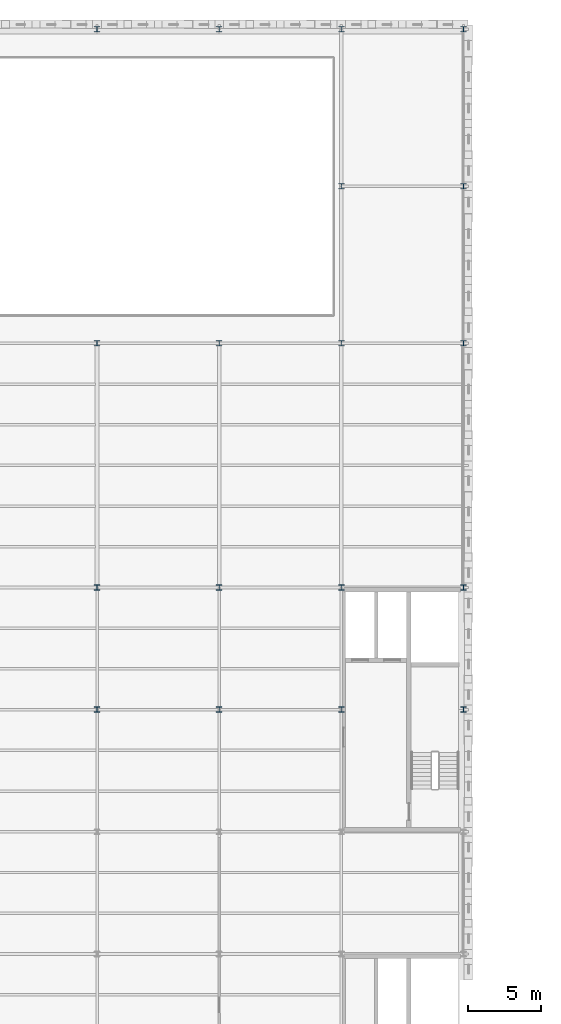
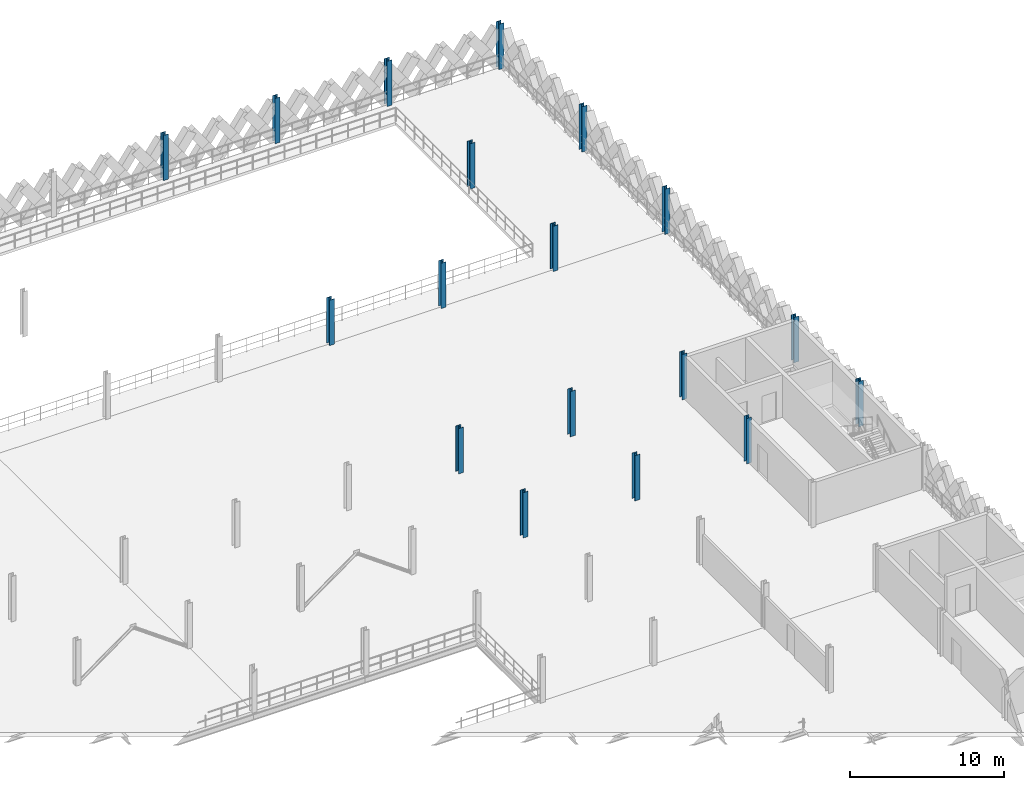
# One storey, part 11 of 62: 18 columns.
"""IFC4 building model written with IfcOpenShell, lengths in metres."""

import ifcopenshell
import ifcopenshell.guid

model = None  # the IFC model being written
_history = None  # IfcOwnerHistory: only IFC2X3 demands one
_inside = {}  # id of a spatial element -> (the spatial element, [elements in it])
_under = {}  # id of a project, library or spatial element -> (it, [spatial elements below it])
_declared = {}  # id of a project -> (the project, [libraries it declares])
_typed = {}  # id of a type object -> (the type object, [elements of that type])
_made_of = {}  # id of a material, layer set ... -> (it, [elements and type objects made of it])


def new_model(schema):
    """Start an empty IFC model of exactly this schema.

    Asked for "IFC4X3", IfcOpenShell would pick the latest addendum, in which some entities
    have other attributes; the version numbers below select the first issue.
    IFC2X3 requires an IfcOwnerHistory on every rooted entity: one is made here for all.
    """
    global model, _history
    if schema == "IFC4X3":
        model = ifcopenshell.file(schema_version=(4, 3, 0, 0))
    else:
        model = ifcopenshell.file(schema=schema)
    _inside.clear()
    _under.clear()
    _declared.clear()
    _typed.clear()
    _made_of.clear()
    _history = None
    if model.schema == "IFC2X3":
        org = make("IfcOrganization", Name="unknown")
        user = make(
            "IfcPersonAndOrganization",
            ThePerson=make("IfcPerson", FamilyName="unknown"),
            TheOrganization=org,
        )
        app = make(
            "IfcApplication",
            ApplicationDeveloper=org,
            Version="unknown",
            ApplicationFullName="unknown",
            ApplicationIdentifier="unknown",
        )
        _history = make(
            "IfcOwnerHistory",
            OwningUser=user,
            OwningApplication=app,
            ChangeAction="ADDED",
            CreationDate=0,
        )
    return model


def make(cls, **values):
    """One entity of the class cls with the attributes given. An attribute that is None is left unset."""
    return model.create_entity(
        cls, **{name: value for name, value in values.items() if value is not None}
    )


def rooted(cls, **values):
    """An entity with a GlobalId (a new one), such as an element, a storey or a relation."""
    return make(cls, GlobalId=ifcopenshell.guid.new(), OwnerHistory=_history, **values)


def si_unit(unit_type, name, prefix=None):
    """IfcSIUnit, for example si_unit("LENGTHUNIT", "METRE", prefix="MILLI")."""
    return make("IfcSIUnit", UnitType=unit_type, Prefix=prefix, Name=name)


def assignment(units):
    """IfcUnitAssignment: the units of a project."""
    return None if units is None else make("IfcUnitAssignment", Units=units)


def point(xyz):
    """IfcCartesianPoint."""
    return None if xyz is None else make("IfcCartesianPoint", Coordinates=xyz)


def direction(xyz):
    """IfcDirection."""
    return None if xyz is None else make("IfcDirection", DirectionRatios=xyz)


def frame(location, z_axis=None, x_axis=None):
    """IfcAxis2Placement3D, a coordinate frame: its origin and axes. An axis left out is left unset."""
    return make(
        "IfcAxis2Placement3D",
        Location=point(location),
        Axis=direction(z_axis),
        RefDirection=direction(x_axis),
    )


def frame_2d(location, x_axis=None):
    """IfcAxis2Placement2D, a coordinate frame in the plane: its origin and x axis."""
    return make(
        "IfcAxis2Placement2D", Location=point(location), RefDirection=direction(x_axis)
    )


def origin():
    """The frame at (0, 0, 0) with its axes left unset."""
    return frame((0.0, 0.0, 0.0))


def origin_2d():
    """The frame at (0, 0) in the plane with its x axis left unset."""
    return frame_2d((0.0, 0.0))


def place(relative_to, where):
    """IfcLocalPlacement: puts the frame where relative to a parent placement (None: the world)."""
    return make(
        "IfcLocalPlacement", PlacementRelTo=relative_to, RelativePlacement=where
    )


def context(
    kind, dimensions, precision=None, world=None, true_north=None, identifier=None
):
    """IfcGeometricRepresentationContext, for example the 3D "Model" context."""
    return make(
        "IfcGeometricRepresentationContext",
        ContextIdentifier=identifier,
        ContextType=kind,
        CoordinateSpaceDimension=dimensions,
        Precision=precision,
        WorldCoordinateSystem=world,
        TrueNorth=true_north,
    )


def subcontext(parent, identifier, kind, view, scale=None):
    """IfcGeometricRepresentationSubContext, for example "Body" below "Model"."""
    return make(
        "IfcGeometricRepresentationSubContext",
        ContextIdentifier=identifier,
        ContextType=kind,
        ParentContext=parent,
        TargetScale=scale,
        TargetView=view,
    )


def project(units=None, contexts=None):
    """IfcProject with its units and contexts."""
    return rooted(
        "IfcProject",
        Name="project",
        RepresentationContexts=contexts,
        UnitsInContext=assignment(units),
    )


def spatial(cls, under=None, at=None, **own):
    """A site, building, storey or space (cls), placed at a placement, below another one or the project."""
    s = rooted(cls, ObjectPlacement=at, **own)
    if under is not None:
        _under.setdefault(under.id(), (under, []))[1].append(s)
    return s


def profile(cls, at=None, kind="AREA", **sizes):
    """A parametric profile (cls). Its sizes go by their IFC names, for example OverallWidth=200.0."""
    return make(cls, ProfileType=kind, Position=at, **sizes)


def i_section(**sizes):
    """IfcIShapeProfileDef."""
    return profile("IfcIShapeProfileDef", **sizes)


def extrude(swept, where, along, depth):
    """IfcExtrudedAreaSolid: the profile swept, set in the frame where, extruded along a direction by depth."""
    return make(
        "IfcExtrudedAreaSolid",
        SweptArea=swept,
        Position=where,
        ExtrudedDirection=direction(along),
        Depth=depth,
    )


def shape(context_of_items, identifier, shape_type, items):
    """IfcShapeRepresentation: the items that make up one representation, for example the "Body"."""
    return make(
        "IfcShapeRepresentation",
        ContextOfItems=context_of_items,
        RepresentationIdentifier=identifier,
        RepresentationType=shape_type,
        Items=items,
    )


def material(Name=None, Category=None):
    """IfcMaterial."""
    return make("IfcMaterial", Name=Name, Category=Category)


def material_profile(
    of_material, cross_section, Name=None, Category=None, Priority=None
):
    """IfcMaterialProfile: a cross section and its material."""
    return make(
        "IfcMaterialProfile",
        Name=Name,
        Material=of_material,
        Profile=cross_section,
        Priority=Priority,
        Category=Category,
    )


def profile_set(profiles, Name=None, composite=None):
    """IfcMaterialProfileSet."""
    return make(
        "IfcMaterialProfileSet",
        Name=Name,
        MaterialProfiles=profiles,
        CompositeProfile=composite,
    )


def made_of(thing, what):
    """Note that an element or type object is made of a material, layer set ...; save() writes the relation."""
    if what is not None:
        _made_of.setdefault(what.id(), (what, []))[1].append(thing)
    return thing


def type_object(cls, material=None, **own):
    """A type object (cls), such as IfcWallType, which elements share."""
    return made_of(rooted(cls, **own), material)


def element(
    cls,
    number,
    at=None,
    inside=None,
    cuts=None,
    type_object=None,
    material=None,
    context=None,
    identifier="Body",
    shape_type=None,
    held_by="IfcProductDefinitionShape",
    body=None,
    shapes=None,
    **own,
):
    """One element of the class cls, such as IfcWall. Its Tag is "e" and its number.

    at: its placement. inside: the storey or other place that contains it. cuts: it is an
    opening in that element (IfcRelVoidsElement). A single representation is given by context,
    identifier, shape_type and body (its items); several are given by shapes. held_by: the class
    of the entity that holds the representations. save() writes the other relations.
    """
    e = rooted(cls, Tag="e%d" % number, ObjectPlacement=at, **own)
    if body is not None:
        shapes = [shape(context, identifier, shape_type, body)]
    if shapes is not None:
        e.Representation = make(held_by, Representations=shapes)
    if inside is not None:
        _inside.setdefault(inside.id(), (inside, []))[1].append(e)
    if cuts is not None:
        rooted(
            "IfcRelVoidsElement", RelatingBuildingElement=cuts, RelatedOpeningElement=e
        )
    if type_object is not None:
        _typed.setdefault(type_object.id(), (type_object, []))[1].append(e)
    return made_of(e, material)


def aggregate(whole, parts):
    """IfcRelAggregates: a whole, such as a stair, and the parts it consists of."""
    return rooted("IfcRelAggregates", RelatingObject=whole, RelatedObjects=parts)


def save(model, path):
    """Write the relations noted so far, then the file.

    IfcRelAggregates (storeys below a building ...), IfcRelContainedInSpatialStructure (elements
    in a storey), IfcRelDefinesByType, IfcRelAssociatesMaterial and IfcRelDeclares: one each for
    every whole, place, type object, material and project.
    """
    for whole, parts in _under.values():
        aggregate(whole, parts)
    for where, things in _inside.values():
        rooted(
            "IfcRelContainedInSpatialStructure",
            RelatedElements=things,
            RelatingStructure=where,
        )
    for kind, things in _typed.values():
        rooted("IfcRelDefinesByType", RelatedObjects=things, RelatingType=kind)
    for what, things in _made_of.values():
        rooted("IfcRelAssociatesMaterial", RelatedObjects=things, RelatingMaterial=what)
    for by, libraries in _declared.values():
        rooted("IfcRelDeclares", RelatingContext=by, RelatedDefinitions=libraries)
    model.write(path)


model = new_model("IFC4")

# Units and contexts
model_context = context("Model", 3, precision=1e-05, world=origin(), true_north=direction((0.0, 1.0)))
body_context = subcontext(model_context, "Body", "Model", "MODEL_VIEW")
ifc_project = project(units=[si_unit("LENGTHUNIT", "METRE"), si_unit("AREAUNIT", "SQUARE_METRE"), si_unit("VOLUMEUNIT", "CUBIC_METRE"), si_unit("PLANEANGLEUNIT", "RADIAN"), si_unit("MASSUNIT", "GRAM", prefix="KILO"), si_unit("THERMODYNAMICTEMPERATUREUNIT", "KELVIN"), si_unit("POWERUNIT", "WATT")], contexts=[model_context])

# Site, building, storey
site_placement = place(None, origin())
site = spatial("IfcSite", under=ifc_project, at=site_placement, CompositionType="ELEMENT")
building_placement = place(site_placement, origin())
building = spatial("IfcBuilding", under=site, at=building_placement, Name="Tembeka Court Mobility Hub", CompositionType="ELEMENT")
storey_placement = place(building_placement, frame((0.0, 0.0, 16.199951171875)))
storey = spatial("IfcBuildingStorey", under=building, at=storey_placement, Name="L04", CompositionType="ELEMENT", Elevation=16.199951171875)

# Columns
ifc_material = material(Name="Steel S355", Category="steel")
ifc_material_profile = material_profile(ifc_material, i_section(OverallWidth=0.373046875, OverallDepth=0.367919921875, WebThickness=0.014404296875, FlangeThickness=0.023681640625, FilletRadius=0.01513671875, at=origin_2d()), Name="UKC 356x368x177")
ifc_profile_set = profile_set([ifc_material_profile], Name="Steel S355")
column_type = type_object("IfcColumnType", Name="COL-C03", PredefinedType="COLUMN", material=ifc_profile_set)
for number, where, z_axis, x_axis, name in (
    (1, (67.199951171875, 72.0, 0.0), (0.0, 0.0, 1.0), (1.0, 0.0, 0.0), "Column C03 (L04-099)"),
    (2, (67.199951171875, 80.39990234375, 0.0), (0.0, 0.0, 1.0), (1.0, 0.0, 0.0), "Column C03 (L04-100)"),
    (3, (67.199951171875, 97.199951171875, 0.0), (0.0, 0.0, 1.0), (1.0, 0.0, 0.0), "Column C03 (L04-101)"),
    (4, (67.199951171875, 118.800048828125, 0.0), (0.0, 0.0, 1.0), (1.0, 0.0, 0.0), "Column C03 (L04-102)"),
    (5, (75.60009765625, 72.0, 0.0), (0.0, 0.0, 1.0), (1.0, 0.0, 0.0), "Column C03 (L04-109)"),
    (6, (75.60009765625, 80.39990234375, 0.0), (0.0, 0.0, 1.0), (1.0, 0.0, 0.0), "Column C03 (L04-110)"),
    (7, (75.60009765625, 97.199951171875, 0.0), (0.0, 0.0, 1.0), (1.0, 0.0, 0.0), "Column C03 (L04-111)"),
    (8, (75.60009765625, 118.800048828125, 0.0), (0.0, 0.0, 1.0), (1.0, 0.0, 0.0), "Column C03 (L04-112)"),
    (9, (84.0, 72.0, 0.0), (0.0, 0.0, 1.0), (1.0, 0.0, 0.0), "Column C03 (L04-120)"),
    (10, (84.0, 80.39990234375, 0.0), (0.0, 0.0, 1.0), (1.0, 0.0, 0.0), "Column C03 (L04-121)"),
    (11, (84.0, 97.199951171875, 0.0), (0.0, 0.0, 1.0), (1.0, 0.0, 0.0), "Column C03 (L04-122)"),
    (12, (84.0, 108.0, 0.0), (0.0, 0.0, 1.0), (1.0, 0.0, 0.0), "Column C03 (L04-123)"),
    (13, (84.0, 118.800048828125, 0.0), (0.0, 0.0, 1.0), (1.0, 0.0, 0.0), "Column C03 (L04-124)"),
    (14, (92.39990234375, 72.0, 0.0), (0.0, 0.0, 1.0), (1.0, 0.0, 0.0), "Column C03 (L04-132)"),
    (15, (92.39990234375, 80.39990234375, 0.0), (0.0, 0.0, 1.0), (1.0, 0.0, 0.0), "Column C03 (L04-133)"),
    (16, (92.39990234375, 97.199951171875, 0.0), (0.0, 0.0, 1.0), (1.0, 0.0, 0.0), "Column C03 (L04-134)"),
    (17, (92.39990234375, 108.0, 0.0), (0.0, 0.0, 1.0), (1.0, 0.0, 0.0), "Column C03 (L04-135)"),
    (18, (92.39990234375, 118.800048828125, 0.0), (0.0, 0.0, 1.0), (1.0, 0.0, 0.0), "Column C03 (L04-136)"),
):
    element("IfcColumn", number, at=place(storey_placement, frame(where, z_axis=z_axis, x_axis=x_axis)), inside=storey, type_object=column_type, Name=name, PredefinedType="COLUMN", context=body_context, shape_type="SweptSolid", body=[
        extrude(i_section(OverallWidth=0.373046875, OverallDepth=0.367919921875, WebThickness=0.014404296875, FlangeThickness=0.023681640625, FilletRadius=0.01513671875, at=origin_2d()), origin(), (0.0, 0.0, 1.0), 3.60009765625),
    ])

save(model, "model.ifc")
